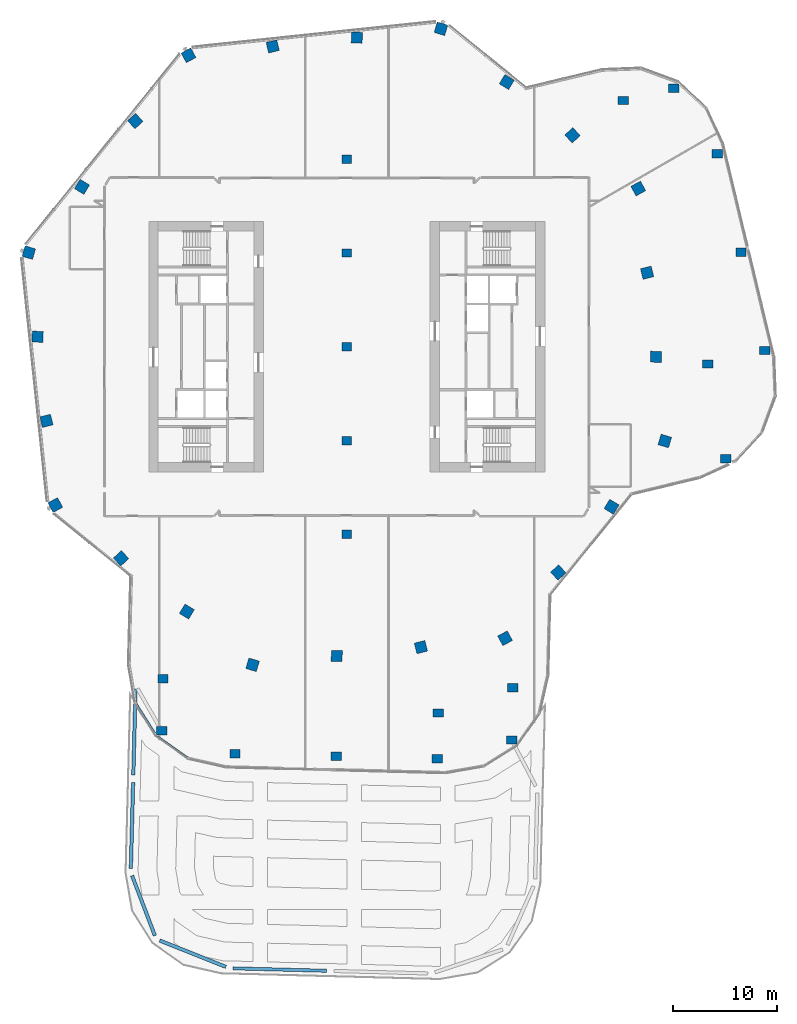
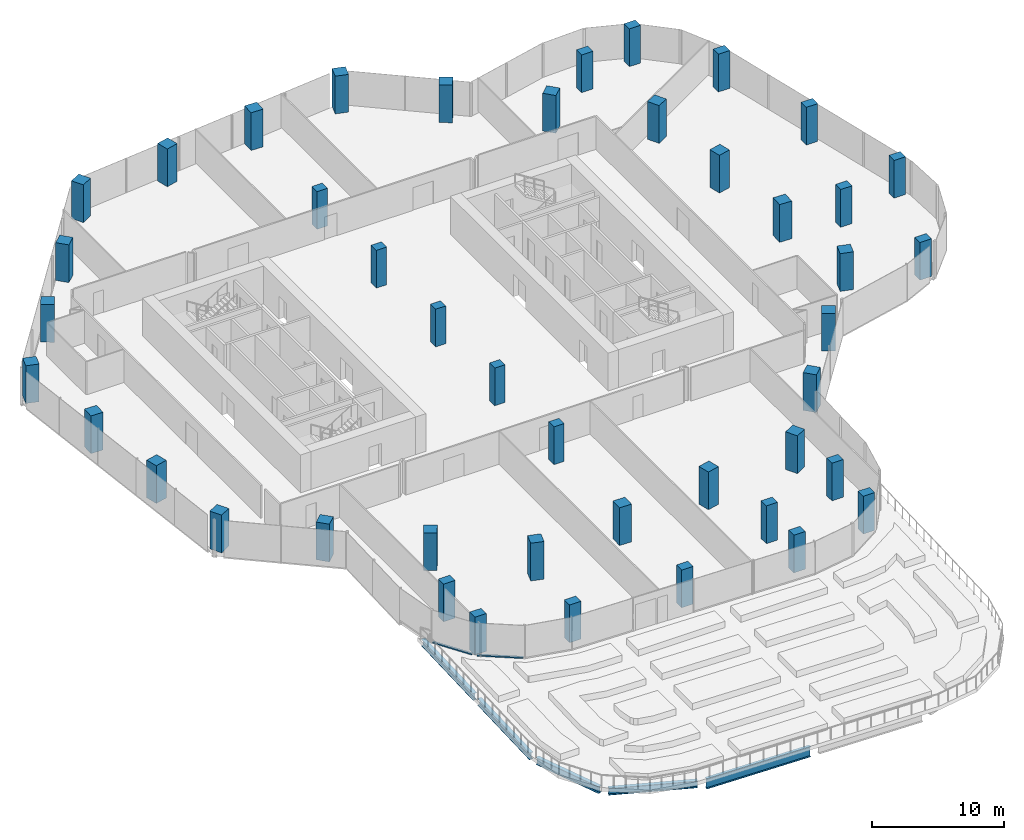
# One storey, part 1 of 25: 44 columns, 5 beams, 2 members, 2 elements without a shape of their own.
"""IFC4 building model written with IfcOpenShell, lengths in metres."""

from ifc_helpers import new_model, si_unit, direction, frame, origin, origin_2d, place, context, subcontext, project, spatial, rectangle, i_section, extrude, material, material_profile, profile_set, type_object, element, aggregate, save


model = new_model("IFC4")

# Units and contexts
model_context = context("Model", 3, precision=1e-05, world=origin(), true_north=direction((0.0, 1.0)))
body_context = subcontext(model_context, "Body", "Model", "MODEL_VIEW")
ifc_project = project(units=[si_unit("LENGTHUNIT", "METRE"), si_unit("AREAUNIT", "SQUARE_METRE"), si_unit("VOLUMEUNIT", "CUBIC_METRE"), si_unit("PLANEANGLEUNIT", "RADIAN"), si_unit("MASSUNIT", "GRAM", prefix="KILO")], contexts=[model_context])

# Site, building, storey
site_placement = place(None, origin())
site = spatial("IfcSite", under=ifc_project, at=site_placement, CompositionType="ELEMENT")
building_placement = place(site_placement, origin())
building = spatial("IfcBuilding", under=site, at=building_placement, Name="Orlundy Tower", CompositionType="ELEMENT")
storey_placement = place(building_placement, frame((0.0, 0.0, 217.5)))
storey = spatial("IfcBuildingStorey", under=building, at=storey_placement, Name="L57", CompositionType="ELEMENT", Elevation=217.5)

# Columns
ifc_material_1 = material(Name="Concrete C60/75", Category="concrete")
ifc_material_profile_1 = material_profile(ifc_material_1, rectangle(XDim=1.0, YDim=0.800048828125, at=origin_2d()), Name="RC1000X800")
ifc_profile_set_1 = profile_set([ifc_material_profile_1], Name="Concrete C60/75")
column_type_1 = type_object("IfcColumnType", Name="RC COLUMN RC1000X800 C60/75", PredefinedType="COLUMN", material=ifc_profile_set_1)
for number, where, z_axis, x_axis, name in (
    (1, (36.35498046875, -10.743896484375, 0.0), (0.0, 0.0, 1.0), (1.0, 0.0, 0.0), "Column C-A1-1 L57"),
    (2, (40.090087890625, -0.35107421875, 0.0), (0.0, 0.0, 1.0), (1.0, 0.0, 0.0), "Column C-A2-5 L57"),
    (3, (34.64404296875, -1.657958984375, 0.0), (0.0, 0.0, 1.0), (1.0, 0.0, 0.0), "Column C-A2-6 L57"),
    (4, (37.824951171875, 9.0810546875, 0.0), (0.0, 0.0, 1.0), (1.0, 0.0, 0.0), "Column C-A3-5 L57"),
    (5, (35.56103515625, 18.512939453125, 0.0), (0.0, 0.0, 1.0), (1.0, 0.0, 0.0), "Column C-A4-5 L57"),
    (6, (31.3701171875, 24.802001953125, 0.0), (0.0, 0.0, 1.0), (1.0, 0.0, 0.0), "Column C-A5-5 L57"),
    (7, (26.508056640625, 23.635009765625, 0.0), (0.0, 0.0, 1.0), (1.0, 0.0, 0.0), "Column C-A5-6 L57"),
    (8, (-17.763916015625, -36.841064453125, 0.0), (0.0, 0.0, 1.0), (1.0, 0.0, 0.0), "Column C-B1-6 L57"),
    (9, (-17.633056640625, -31.843017578125, 0.0), (0.0, 0.0, 1.0), (1.0, 0.0, 0.0), "Column C-B1-7 L57"),
    (10, (-10.72509765625, -39.032958984375, 0.0), (0.0, 0.0, 1.0), (1.0, 0.0, 0.0), "Column C-B2-6 L57"),
    (11, (-1.029052734375, -39.287109375, 0.0), (0.0, 0.0, 1.0), (1.0, 0.0, 0.0), "Column C-B3-6 L57"),
    (12, (8.66796875, -39.5400390625, 0.0), (0.0, 0.0, 1.0), (1.0, 0.0, 0.0), "Column C-B4-6 L57"),
    (13, (8.782958984375, -35.14208984375, 0.0), (0.0, 0.0, 1.0), (1.0, 0.0, 0.0), "Column C-B4-7 L57"),
    (14, (15.81103515625, -37.719970703125, 0.0), (0.0, 0.0, 1.0), (1.0, 0.0, 0.0), "Column C-B5-6 L57"),
    (15, (15.94189453125, -32.721923828125, 0.0), (0.0, 0.0, 1.0), (1.0, 0.0, 0.0), "Column C-B5-7 L57"),
):
    element("IfcColumn", number, at=place(storey_placement, frame(where, z_axis=z_axis, x_axis=x_axis)), inside=storey, type_object=column_type_1, Name=name, PredefinedType="COLUMN", context=body_context, shape_type="SweptSolid", body=[
        extrude(rectangle(XDim=1.0, YDim=0.800048828125, at=origin_2d()), origin(), (0.0, 0.0, 1.0), 3.5),
    ])
ifc_material_2 = material(Name="Concrete C60/75", Category="concrete")
ifc_material_profile_2 = material_profile(ifc_material_2, rectangle(XDim=1.050048828125, YDim=1.050048828125, at=origin_2d()), Name="RC1050X1050")
ifc_profile_set_2 = profile_set([ifc_material_profile_2], Name="Concrete C60/75")
column_type_2 = type_object("IfcColumnType", Name="RC COLUMN RC1050X1050 C60/75", PredefinedType="COLUMN", material=ifc_profile_set_2)
for number, where, z_axis, x_axis, name in (
    (16, (9.0380859375, 30.511962890625, 0.0), (0.0, 0.0, 1.0), (0.284015344704, 0.958819734868, 0.0), "Column C-H01 L57"),
    (17, (15.346923828125, 25.403076171875, 0.0), (0.0, 0.0, 1.0), (0.517101113058, 0.855924318427, 0.0), "Column C-H02 L57"),
    (18, (21.656982421875, 20.29296875, 0.0), (0.0, 0.0, 1.0), (0.729708951739, 0.683757885331, 0.0), "Column C-H03 L57"),
    (19, (27.966064453125, 15.18408203125, 0.0), (0.0, 0.0, 1.0), (0.878817112662, 0.47715876026, 0.0), "Column C-H04 L57"),
    (20, (28.81494140625, 7.110107421875, 0.0), (0.0, 0.0, 1.0), (0.970879774729, 0.239567241127, 0.0), "Column C-H05 L57"),
    (21, (29.6630859375, -0.964111328125, 0.0), (0.0, 0.0, 1.0), (0.99947255242, -0.032474866578, 0.0), "Column C-H06 L57"),
    (22, (30.511962890625, -9.0380859375, 0.0), (0.0, 0.0, 1.0), (0.958819734868, -0.284015344704, 0.0), "Column C-H07 L57"),
    (23, (25.403076171875, -15.346923828125, 0.0), (0.0, 0.0, 1.0), (0.855924318427, -0.517101113058, 0.0), "Column C-H08 L57"),
    (24, (20.29296875, -21.656982421875, 0.0), (0.0, 0.0, 1.0), (0.683757885331, -0.729708951739, 0.0), "Column C-H09 L57"),
    (25, (15.18408203125, -27.966064453125, 0.0), (0.0, 0.0, 1.0), (0.47715876026, -0.878817112662, 0.0), "Column C-H10 L57"),
    (26, (7.110107421875, -28.81494140625, 0.0), (0.0, 0.0, 1.0), (0.239567241127, -0.970879774729, 0.0), "Column C-H11 L57"),
    (27, (-0.964111328125, -29.6630859375, 0.0), (0.0, 0.0, 1.0), (-0.032474866578, -0.99947255242, 0.0), "Column C-H12 L57"),
    (28, (-9.0380859375, -30.511962890625, 0.0), (0.0, 0.0, 1.0), (-0.284015344704, -0.958819734868, 0.0), "Column C-H13 L57"),
    (29, (-15.346923828125, -25.403076171875, 0.0), (0.0, 0.0, 1.0), (-0.517101113058, -0.855924318427, 0.0), "Column C-H14 L57"),
    (30, (-21.656982421875, -20.29296875, 0.0), (0.0, 0.0, 1.0), (-0.729708951739, -0.683757885331, 0.0), "Column C-H15 L57"),
    (31, (-27.966064453125, -15.18408203125, 0.0), (0.0, 0.0, 1.0), (-0.878817112662, -0.47715876026, 0.0), "Column C-H16 L57"),
    (32, (-28.81494140625, -7.110107421875, 0.0), (0.0, 0.0, 1.0), (-0.970879774729, -0.239567241127, 0.0), "Column C-H17 L57"),
    (33, (-29.6630859375, 0.964111328125, 0.0), (0.0, 0.0, 1.0), (-0.99947255242, 0.032474866578, 0.0), "Column C-H18 L57"),
    (34, (-30.511962890625, 9.0380859375, 0.0), (0.0, 0.0, 1.0), (-0.958819734868, 0.284015344704, 0.0), "Column C-H19 L57"),
    (35, (-25.403076171875, 15.346923828125, 0.0), (0.0, 0.0, 1.0), (-0.855924318427, 0.517101113058, 0.0), "Column C-H20 L57"),
    (36, (-20.29296875, 21.656982421875, 0.0), (0.0, 0.0, 1.0), (-0.683757885331, 0.729708951739, 0.0), "Column C-H21 L57"),
    (37, (-15.18408203125, 27.966064453125, 0.0), (0.0, 0.0, 1.0), (-0.47715876026, 0.878817112662, 0.0), "Column C-H22 L57"),
    (38, (-7.110107421875, 28.81494140625, 0.0), (0.0, 0.0, 1.0), (-0.239567241127, 0.970879774729, 0.0), "Column C-H23 L57"),
    (39, (0.964111328125, 29.6630859375, 0.0), (0.0, 0.0, 1.0), (0.032474866578, 0.99947255242, 0.0), "Column C-H24 L57"),
):
    element("IfcColumn", number, at=place(storey_placement, frame(where, z_axis=z_axis, x_axis=x_axis)), inside=storey, type_object=column_type_2, Name=name, PredefinedType="COLUMN", context=body_context, shape_type="SweptSolid", body=[
        extrude(rectangle(XDim=1.050048828125, YDim=1.050048828125, at=origin_2d()), origin(), (0.0, 0.0, 1.0), 3.5),
    ])
ifc_material_3 = material(Name="Concrete C60/75", Category="concrete")
ifc_material_profile_3 = material_profile(ifc_material_3, rectangle(XDim=0.89990234375, YDim=0.800048828125, at=origin_2d()), Name="RC900X800")
ifc_profile_set_3 = profile_set([ifc_material_profile_3], Name="Concrete C60/75")
column_type_3 = type_object("IfcColumnType", Name="RC COLUMN RC900X800 C60/75", PredefinedType="COLUMN", material=ifc_profile_set_3)
for number, where, z_axis, x_axis, name in (
    (40, (0.0, -18.0, 0.0), (0.0, 0.0, 1.0), (1.0, 0.0, 0.0), "Column C-M1 L57"),
    (41, (0.0, -9.0, 0.0), (0.0, 0.0, 1.0), (1.0, 0.0, 0.0), "Column C-M2 L57"),
    (42, (0.0, 0.0, 0.0), (0.0, 0.0, 1.0), (1.0, 0.0, 0.0), "Column C-M3 L57"),
    (43, (0.0, 9.0, 0.0), (0.0, 0.0, 1.0), (1.0, 0.0, 0.0), "Column C-M4 L57"),
    (44, (0.0, 18.0, 0.0), (0.0, 0.0, 1.0), (1.0, 0.0, 0.0), "Column C-M5 L57"),
):
    element("IfcColumn", number, at=place(storey_placement, frame(where, z_axis=z_axis, x_axis=x_axis)), inside=storey, type_object=column_type_3, Name=name, PredefinedType="COLUMN", context=body_context, shape_type="SweptSolid", body=[
        extrude(rectangle(XDim=0.89990234375, YDim=0.800048828125, at=origin_2d()), origin(), (0.0, 0.0, 1.0), 3.5),
    ])

# Curtain wall, member
ifc_material_4 = material(Name="Aluminium bronze anodised", Category="aluminium")
curtain_wall_type = type_object("IfcCurtainWallType", Name="CW1 wall", PredefinedType="NOTDEFINED", material=ifc_material_4)
curtain_wall_1_placement = place(storey_placement, origin())
curtain_wall_1 = element("IfcCurtainWall", 45, at=curtain_wall_1_placement, inside=storey, type_object=curtain_wall_type, Name="CW1 run 025", PredefinedType="NOTDEFINED")
ifc_material_5 = material(Name="Aluminium bronze anodised", Category="aluminium")
ifc_material_profile_4 = material_profile(ifc_material_5, rectangle(XDim=0.179931640625, YDim=0.1201171875, at=origin_2d()), Name="CW1 transom 180x120")
ifc_profile_set_4 = profile_set([ifc_material_profile_4], Name="Aluminium bronze anodised")
member_type = type_object("IfcMemberType", Name="CW1 transom 180x120", PredefinedType="USERDEFINED", material=ifc_profile_set_4)
member_1_placement = place(storey_placement, frame((-15.28271484375, -39.4248046875, 0.06005859375), z_axis=(-0.816718215174, 0.577036703342, 0.0), x_axis=(-0.577036703342, -0.816718215174, 0.0)))
member_1 = element("IfcMember", 46, at=member_1_placement, type_object=member_type, Name="CW1 transom", ObjectType="TRANSOM", PredefinedType="USERDEFINED", context=body_context, shape_type="SweptSolid", body=[
    extrude(rectangle(XDim=0.179931640625, YDim=0.1201171875, at=origin_2d()), origin(), (0.0, 0.0, 1.0), 3.5244140625),
])
aggregate(curtain_wall_1, [member_1])

curtain_wall_2_placement = place(storey_placement, origin())
curtain_wall_2 = element("IfcCurtainWall", 47, at=curtain_wall_2_placement, inside=storey, type_object=curtain_wall_type, Name="CW1 run 026", PredefinedType="NOTDEFINED")
member_2_placement = place(storey_placement, frame((-18.4140625, -37.081787109375, 0.06005859375), z_axis=(-0.533624631108, 0.845721439409, 0.0), x_axis=(-0.845721439409, -0.533624631108, 0.0)))
member_2 = element("IfcMember", 48, at=member_2_placement, type_object=member_type, Name="CW1 transom", ObjectType="TRANSOM", PredefinedType="USERDEFINED", context=body_context, shape_type="SweptSolid", body=[
    extrude(rectangle(XDim=0.179931640625, YDim=0.1201171875, at=origin_2d()), origin(), (0.0, 0.0, 1.0), 3.366943359375),
])
aggregate(curtain_wall_2, [member_2])

# Beams
ifc_material_6 = material(Name="Steel ASTM A992 Gr 50", Category="steel")
ifc_material_profile_5 = material_profile(ifc_material_6, i_section(OverallWidth=0.3291015625, OverallDepth=0.635009765625, WebThickness=0.017822265625, FlangeThickness=0.031005859375, at=origin_2d()), Name="W24X162")
ifc_profile_set_5 = profile_set([ifc_material_profile_5], Name="Steel ASTM A992 Gr 50")
beam_type_1 = type_object("IfcBeamType", Name="TERRACE EDGE BEAM beam W24X162", PredefinedType="BEAM", material=ifc_profile_set_5)
beam_1_placement = place(storey_placement, frame((-11.599609375, -59.492919921875, -0.737548828125), z_axis=(-0.92924311173, 0.369468861072, 0.0), x_axis=(-0.369468861072, -0.92924311173, 0.0)))
element("IfcBeam", 49, at=beam_1_placement, inside=storey, type_object=beam_type_1, Name="Terrace edge beam L57-1-09", PredefinedType="BEAM", context=body_context, shape_type="SweptSolid", body=[
    extrude(i_section(OverallWidth=0.3291015625, OverallDepth=0.635009765625, WebThickness=0.017822265625, FlangeThickness=0.031005859375, at=origin_2d()), origin(), (0.0, 0.0, 1.0), 6.83642578125),
])
beam_2_placement = place(storey_placement, frame((-18.414794921875, -56.497314453125, -0.737548828125), z_axis=(-0.354977143898, 0.934874979508, 0.0), x_axis=(-0.934874979508, -0.354977143898, 0.0)))
element("IfcBeam", 50, at=beam_2_placement, inside=storey, type_object=beam_type_1, Name="Terrace edge beam L57-1-10", PredefinedType="BEAM", context=body_context, shape_type="SweptSolid", body=[
    extrude(i_section(OverallWidth=0.3291015625, OverallDepth=0.635009765625, WebThickness=0.017822265625, FlangeThickness=0.031005859375, at=origin_2d()), origin(), (0.0, 0.0, 1.0), 6.1533203125),
])
beam_3_placement = place(storey_placement, frame((-20.717529296875, -50.048095703125, -0.737548828125), z_axis=(0.02619924827, 0.999656740782, 0.0), x_axis=(-0.999656740782, 0.02619924827, 0.0)))
element("IfcBeam", 51, at=beam_3_placement, inside=storey, type_object=beam_type_1, Name="Terrace edge beam L57-1-11", PredefinedType="BEAM", context=body_context, shape_type="SweptSolid", body=[
    extrude(i_section(OverallWidth=0.3291015625, OverallDepth=0.635009765625, WebThickness=0.017822265625, FlangeThickness=0.031005859375, at=origin_2d()), origin(), (0.0, 0.0, 1.0), 8.2470703125),
])
beam_4_placement = place(storey_placement, frame((-20.482666015625, -41.083984375, -0.737548828125), z_axis=(0.026231936762, 0.999655883539, 0.0), x_axis=(-0.999655883539, 0.026231936762, 0.0)))
element("IfcBeam", 52, at=beam_4_placement, inside=storey, type_object=beam_type_1, Name="Terrace edge beam L57-1-12", PredefinedType="BEAM", context=body_context, shape_type="SweptSolid", body=[
    extrude(i_section(OverallWidth=0.3291015625, OverallDepth=0.635009765625, WebThickness=0.017822265625, FlangeThickness=0.031005859375, at=origin_2d()), origin(), (0.0, 0.0, 1.0), 8.24609375),
])
ifc_material_7 = material(Name="Steel ASTM A992 Gr 50", Category="steel")
ifc_material_profile_6 = material_profile(ifc_material_7, i_section(OverallWidth=0.3076171875, OverallDepth=0.9267578125, WebThickness=0.01953125, FlangeThickness=0.031982421875, at=origin_2d()), Name="W36X194")
ifc_profile_set_6 = profile_set([ifc_material_profile_6], Name="Steel ASTM A992 Gr 50")
beam_type_2 = type_object("IfcBeamType", Name="TERRACE EDGE BEAM beam W36X194", PredefinedType="BEAM", material=ifc_profile_set_6)
beam_5_placement = place(storey_placement, frame((-1.927978515625, -59.86962890625, -0.88330078125), z_axis=(-0.999660062978, 0.026072178417, 0.0), x_axis=(-0.026072178417, -0.999660062978, 0.0)))
element("IfcBeam", 53, at=beam_5_placement, inside=storey, type_object=beam_type_2, Name="Terrace edge beam L57-1-08", PredefinedType="BEAM", context=body_context, shape_type="SweptSolid", body=[
    extrude(i_section(OverallWidth=0.3076171875, OverallDepth=0.9267578125, WebThickness=0.01953125, FlangeThickness=0.031982421875, at=origin_2d()), origin(), (0.0, 0.0, 1.0), 8.980224609375),
])

save(model, "model.ifc")
